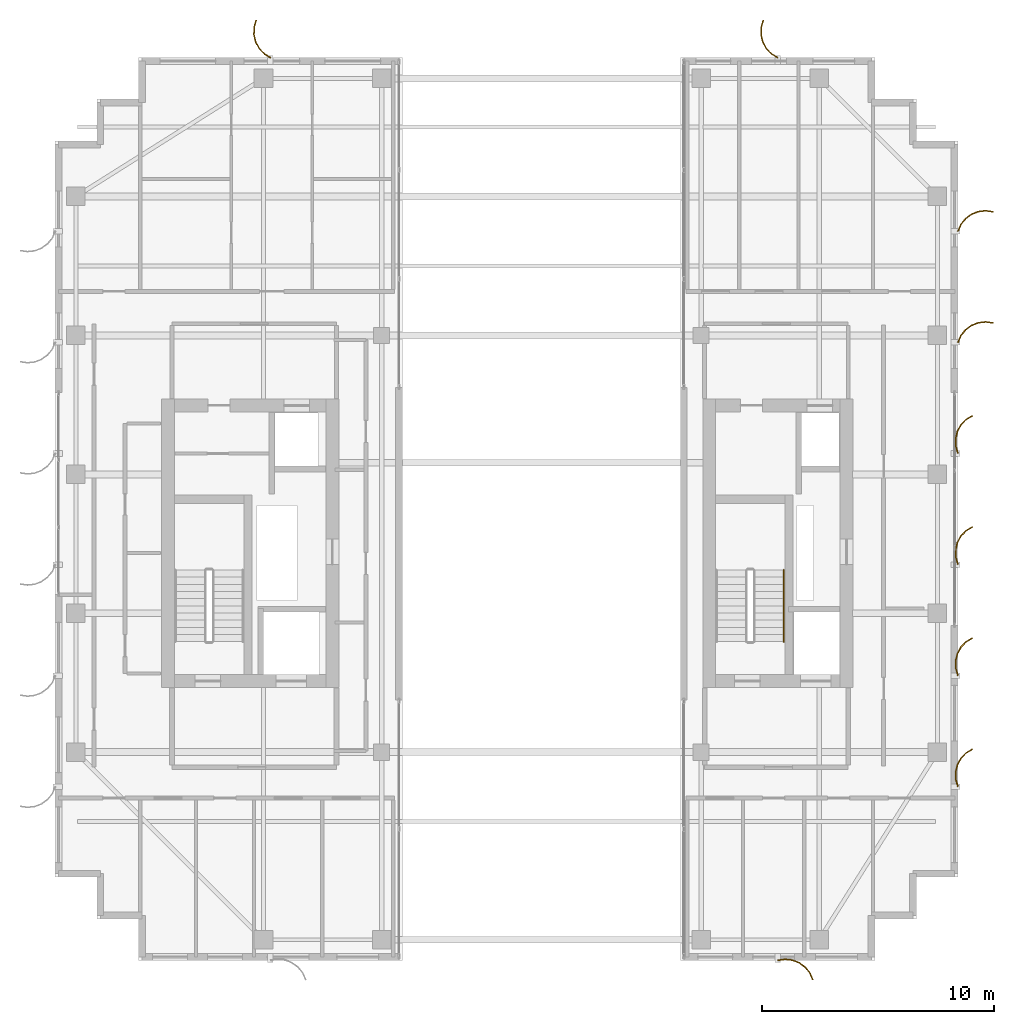
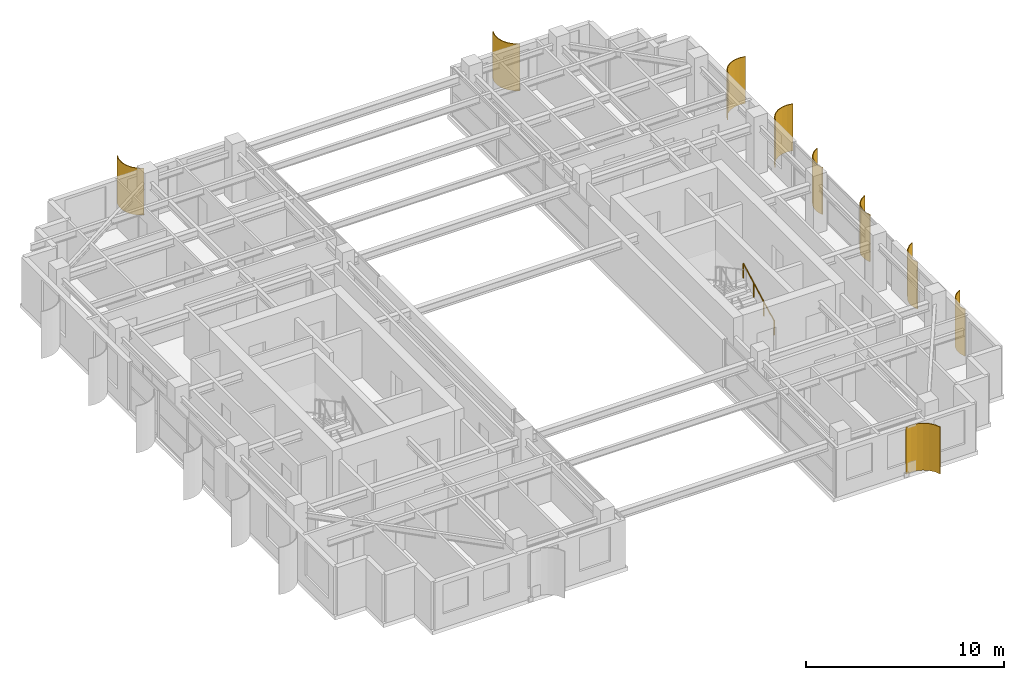
# One storey, part 25 of 25: 9 shading devices, 1 railing.
"""IFC4 building model written with IfcOpenShell, lengths in metres."""

from ifc_helpers import new_model, si_unit, direction, frame, origin, origin_2d, place, context, subcontext, project, spatial, polyline, circle, outline, extrude, source, transform, mapped, material, layer, layer_set, type_object, element, save


model = new_model("IFC4")

# Units and contexts
model_context = context("Model", 3, precision=1e-05, world=origin(), true_north=direction((0.0, 1.0)))
body_context = subcontext(model_context, "Body", "Model", "MODEL_VIEW")
ifc_project = project(units=[si_unit("LENGTHUNIT", "METRE"), si_unit("AREAUNIT", "SQUARE_METRE"), si_unit("VOLUMEUNIT", "CUBIC_METRE"), si_unit("PLANEANGLEUNIT", "RADIAN"), si_unit("MASSUNIT", "GRAM", prefix="KILO")], contexts=[model_context])

# Site, building, storey
site_placement = place(None, origin())
site = spatial("IfcSite", under=ifc_project, at=site_placement, CompositionType="ELEMENT")
building_placement = place(site_placement, origin())
building = spatial("IfcBuilding", under=site, at=building_placement, Name="Khoralis Quay Care Tower", CompositionType="ELEMENT")
storey_placement = place(building_placement, frame((0.0, 0.0, 263.699951171875)))
storey = spatial("IfcBuildingStorey", under=building, at=storey_placement, Name="L69", CompositionType="ELEMENT", Elevation=263.699951171875)

# Railing
ifc_material_1 = material(Name="Brushed stainless steel", Category="steel")
railing_type = type_object("IfcRailingType", Name="RL-HAND-900", PredefinedType="HANDRAIL", material=ifc_material_1)
railing_placement = place(storey_placement, frame((34.469970703125, 16.77001953125, 0.16357421875)))
element("IfcRailing", 1, at=railing_placement, inside=storey, type_object=railing_type, Name="L69 ST-T2 stair handrail 1", PredefinedType="HANDRAIL", context=body_context, shape_type="SweptSolid", body=[
    extrude(circle(Radius=0.02392578125, at=origin_2d()), frame((0.0, 0.0, 0.8759765625), z_axis=(0.0, 0.884348015382, 0.466828220752), x_axis=(-1.0, 0.0, 0.0)), (0.0, 0.0, 1.0), 3.505615234375),
    extrude(circle(Radius=0.02099609375, at=origin_2d()), origin(), (0.0, 0.0, 1.0), 0.851806640625),
    extrude(circle(Radius=0.02099609375, at=origin_2d()), frame((0.0, 1.033447265625, 0.54541015625)), (0.0, 0.0, 1.0), 0.851806640625),
    extrude(circle(Radius=0.02099609375, at=origin_2d()), frame((0.0, 2.066650390625, 1.091064453125)), (0.0, 0.0, 1.0), 0.851806640625),
    extrude(circle(Radius=0.02099609375, at=origin_2d()), frame((0.0, 3.10009765625, 1.636474609375)), (0.0, 0.0, 1.0), 0.851806640625),
])

# Shading devices
ifc_material_2 = material(Name="Brushed pale anodised aluminium", Category="aluminium")
ifc_layer = layer(ifc_material_2, 0.044921875)
ifc_layer_set = layer_set([ifc_layer], Name="Brushed pale anodised aluminium")
shading_device_type = type_object("IfcShadingDeviceType", Name="SHD-FIN-1250", PredefinedType="USERDEFINED", material=ifc_layer_set)
shared_shape_1 = source(origin(), body_context, "Body", "SweptSolid", [
    extrude(outline(polyline([(0.0, 0.0), (-0.04833984375, 0.32275390625), (-0.01123046875, 0.64697265625), (0.1083984375, 0.950439453125), (0.302490234375, 1.212890625), (0.557861328125, 1.416015625), (0.85693359375, 1.546142578125), (0.869384765625, 1.5029296875), (0.5810546875, 1.37744140625), (0.334716796875, 1.181640625), (0.147705078125, 0.9287109375), (0.032470703125, 0.635986328125), (-0.003173828125, 0.323486328125), (0.043212890625, 0.012451171875), (0.0, 0.0)])), origin(), (0.0, 0.0, 1.0), 2.89013671875),
])
shading_device_placement = place(storey_placement, frame((34.199951171875, 3.030029296875, 0.02001953125), z_axis=(0.0, 0.0, 1.0), x_axis=(0.0, -1.0, 0.0)))
element("IfcShadingDevice", 2, at=shading_device_placement, inside=storey, type_object=shading_device_type, Name="L69 Curved Solar Fin P2E0-01", ObjectType="FIN", PredefinedType="USERDEFINED", context=body_context, shape_type="MappedRepresentation", body=[
    mapped(shared_shape_1, transform((0.0, 0.0, 0.0), scale=1.0)),
])
shared_shape_2 = source(origin(), body_context, "Body", "SweptSolid", [
    extrude(outline(polyline([(0.0, 0.0), (0.17041015625, 0.2783203125), (0.4072265625, 0.5029296875), (0.694091796875, 0.658447265625), (1.01123046875, 0.734619140625), (1.33740234375, 0.72607421875), (1.650390625, 0.633544921875), (1.632080078125, 0.59228515625), (1.330322265625, 0.681640625), (1.015869140625, 0.68994140625), (0.710205078125, 0.616455078125), (0.43359375, 0.466552734375), (0.20556640625, 0.25), (0.041015625, -0.018310546875), (0.0, 0.0)])), origin(), (0.0, 0.0, 1.0), 2.89013671875),
])
for number, where, z_axis, x_axis, name in (
    (3, (12.300048828125, 41.969970703125, 0.02001953125), (0.0, 0.0, 1.0), (0.0, 1.0, 0.0), "L69 Curved Solar Fin P1E2-01"),
    (4, (34.199951171875, 41.969970703125, 0.02001953125), (0.0, 0.0, 1.0), (0.0, 1.0, 0.0), "L69 Curved Solar Fin P2E10-01"),
):
    element("IfcShadingDevice", number, at=place(storey_placement, frame(where, z_axis=z_axis, x_axis=x_axis)), inside=storey, type_object=shading_device_type, Name=name, ObjectType="FIN", PredefinedType="USERDEFINED", context=body_context, shape_type="MappedRepresentation", body=[
        mapped(shared_shape_2, transform((0.0, 0.0, 0.0), scale=1.0)),
    ])
shared_shape_3 = source(origin(), body_context, "Body", "SweptSolid", [
    extrude(outline(polyline([(0.0, 0.0), (0.130126953125, 0.29931640625), (0.333251953125, 0.5546875), (0.595458984375, 0.748779296875), (0.899169921875, 0.868408203125), (1.223388671875, 0.9052734375), (1.546142578125, 0.85693359375), (1.53369140625, 0.813720703125), (1.22265625, 0.8603515625), (0.91015625, 0.82470703125), (0.617431640625, 0.70947265625), (0.364501953125, 0.522216796875), (0.168701171875, 0.276123046875), (0.043212890625, -0.012451171875), (0.0, 0.0)])), origin(), (0.0, 0.0, 1.0), 2.89013671875),
])
for number, where, z_axis, x_axis, name in (
    (5, (41.969970703125, 29.699951171875, 0.02001953125), (0.0, 0.0, 1.0), (1.0, 0.0, 0.0), "L69 Curved Solar Fin P2E5-05"),
    (6, (41.969970703125, 34.5, 0.02001953125), (0.0, 0.0, 1.0), (1.0, 0.0, 0.0), "L69 Curved Solar Fin P2E5-06"),
):
    element("IfcShadingDevice", number, at=place(storey_placement, frame(where, z_axis=z_axis, x_axis=x_axis)), inside=storey, type_object=shading_device_type, Name=name, ObjectType="FIN", PredefinedType="USERDEFINED", context=body_context, shape_type="MappedRepresentation", body=[
        mapped(shared_shape_3, transform((0.0, 0.0, 0.0), scale=1.0)),
    ])
shared_shape_4 = source(origin(), body_context, "Body", "SweptSolid", [
    extrude(outline(polyline([(0.0, 0.0), (-0.0927734375, 0.31298828125), (-0.101318359375, 0.63916015625), (-0.025146484375, 0.956298828125), (0.130615234375, 1.2431640625), (0.355224609375, 1.479736328125), (0.633544921875, 1.650390625), (0.65185546875, 1.609130859375), (0.383544921875, 1.44482421875), (0.1669921875, 1.216796875), (0.01708984375, 0.940185546875), (-0.056396484375, 0.63427734375), (-0.04833984375, 0.31982421875), (0.041015625, 0.018310546875), (0.0, 0.0)])), origin(), (0.0, 0.0, 1.0), 2.89013671875),
])
for number, where, z_axis, x_axis, name in (
    (7, (41.969970703125, 10.5, 0.02001953125), (0.0, 0.0, 1.0), (1.0, 0.0, 0.0), "L69 Curved Solar Fin P2E5-01"),
    (8, (41.969970703125, 15.300048828125, 0.02001953125), (0.0, 0.0, 1.0), (1.0, 0.0, 0.0), "L69 Curved Solar Fin P2E5-02"),
    (9, (41.969970703125, 20.10009765625, 0.02001953125), (0.0, 0.0, 1.0), (1.0, 0.0, 0.0), "L69 Curved Solar Fin P2E5-03"),
    (10, (41.969970703125, 24.89990234375, 0.02001953125), (0.0, 0.0, 1.0), (1.0, 0.0, 0.0), "L69 Curved Solar Fin P2E5-04"),
):
    element("IfcShadingDevice", number, at=place(storey_placement, frame(where, z_axis=z_axis, x_axis=x_axis)), inside=storey, type_object=shading_device_type, Name=name, ObjectType="FIN", PredefinedType="USERDEFINED", context=body_context, shape_type="MappedRepresentation", body=[
        mapped(shared_shape_4, transform((0.0, 0.0, 0.0), scale=1.0)),
    ])

save(model, "model.ifc")
